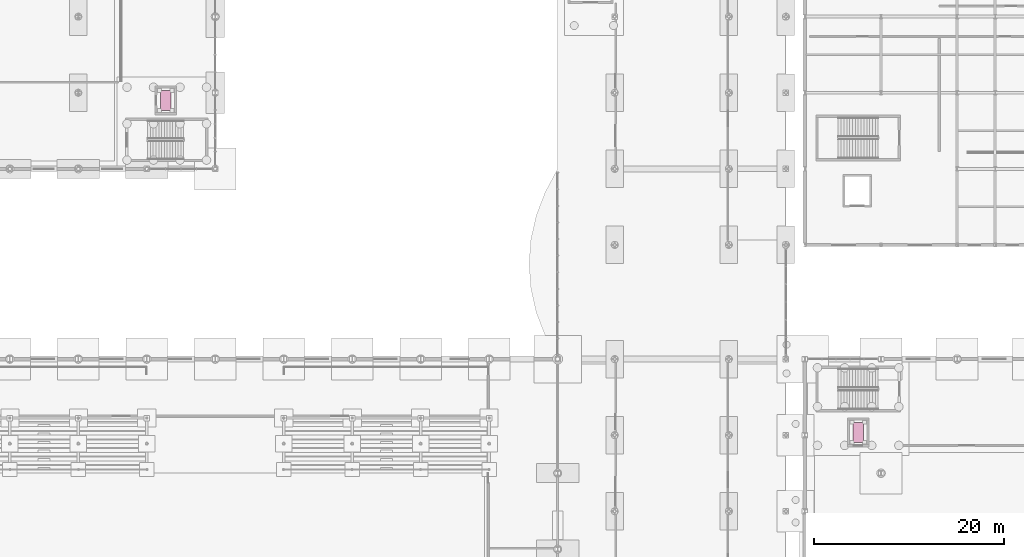
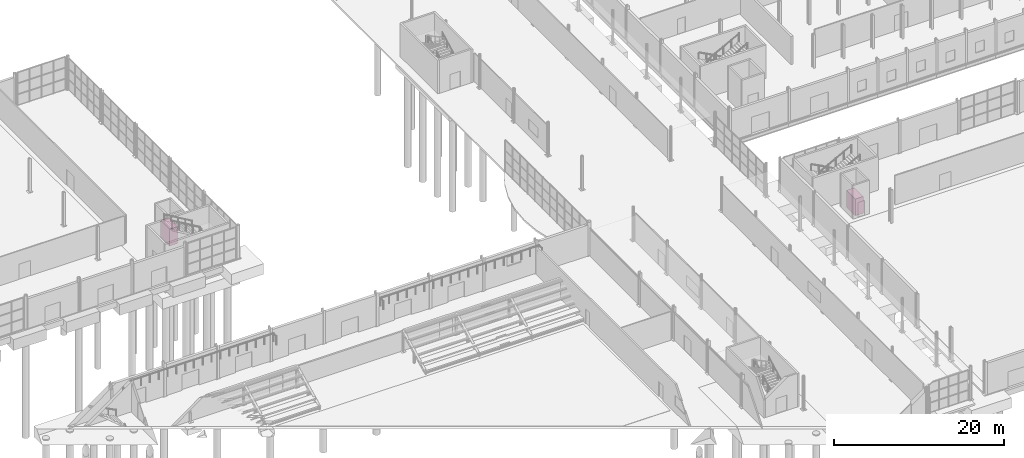
# One storey, part 101 of 101: 2 transport elements.
"""IFC4 building model written with IfcOpenShell, lengths in metres."""

from ifc_helpers import new_model, si_unit, derived_unit, direction, frame, origin, origin_2d, place, context, subcontext, project, spatial, rectangle, extrude, material, type_object, element, save


model = new_model("IFC4")

# Units and contexts
model_context = context("Model", 3, precision=1e-05, world=origin(), true_north=direction((0.0, 1.0)))
body_context = subcontext(model_context, "Body", "Model", "MODEL_VIEW")
ifc_project = project(units=[si_unit("LENGTHUNIT", "METRE"), si_unit("AREAUNIT", "SQUARE_METRE"), si_unit("VOLUMEUNIT", "CUBIC_METRE"), si_unit("PLANEANGLEUNIT", "RADIAN"), si_unit("MASSUNIT", "GRAM", prefix="KILO"), derived_unit("THERMALTRANSMITTANCEUNIT", [(si_unit("POWERUNIT", "WATT"), 1), (si_unit("LENGTHUNIT", "METRE"), -2), (si_unit("THERMODYNAMICTEMPERATUREUNIT", "KELVIN"), -1)])], contexts=[model_context])

# Site, building, storey
site_placement = place(None, origin())
site = spatial("IfcSite", under=ifc_project, at=site_placement, CompositionType="ELEMENT")
building_placement = place(site_placement, origin())
building = spatial("IfcBuilding", under=site, at=building_placement, Name="Keldorne Ridge Multi-Sports Centre", CompositionType="ELEMENT")
storey_placement = place(building_placement, origin())
storey = spatial("IfcBuildingStorey", under=building, at=storey_placement, Name="L00", CompositionType="ELEMENT", Elevation=0.0)

# Transport elements
ifc_material = material(Name="Stainless steel", Category="steel")
transport_element_type = type_object("IfcTransportElementType", Name="TRN-LF-02", PredefinedType="ELEVATOR", material=ifc_material)
for number, where, z_axis, x_axis, name in (
    (1, (109.60009765625, 46.300048828125, 0.0), (0.0, 0.0, 1.0), (1.0, 0.0, 0.0), "Stacked Courts Accessible Lift L-03"),
    (2, (36.800048828125, 81.199951171875, 0.0), (0.0, 0.0, 1.0), (1.0, 0.0, 0.0), "Climbing Atrium Accessible Lift L-04"),
):
    element("IfcTransportElement", number, at=place(storey_placement, frame(where, z_axis=z_axis, x_axis=x_axis)), inside=storey, type_object=transport_element_type, Name=name, PredefinedType="ELEVATOR", context=body_context, shape_type="SweptSolid", body=[
        extrude(rectangle(XDim=1.10009765625, YDim=2.10009765625, at=origin_2d()), origin(), (0.0, 0.0, 1.0), 2.39990234375),
    ])

save(model, "model.ifc")
